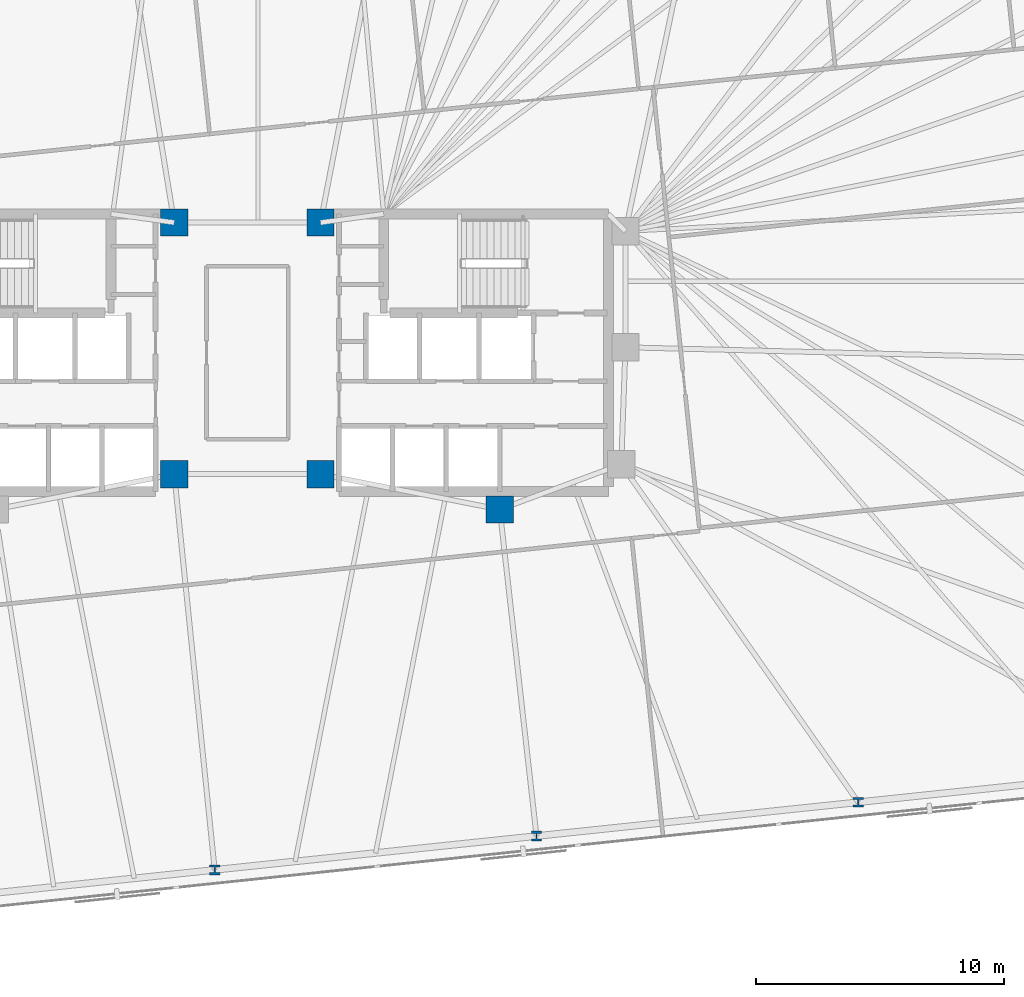
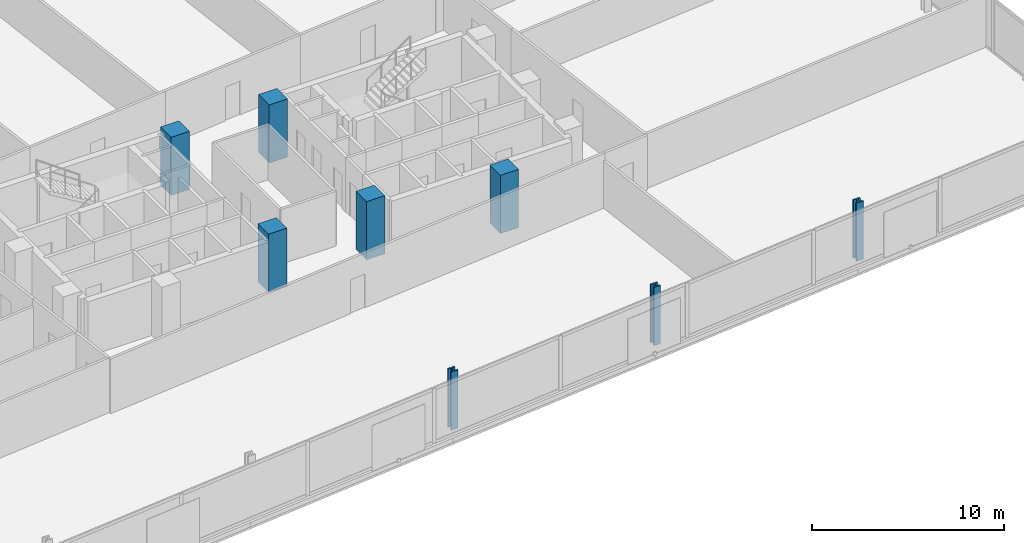
# One storey, part 3 of 18: 8 columns.
"""IFC4 building model written with IfcOpenShell, lengths in metres."""

import ifcopenshell
import ifcopenshell.guid

model = None  # the IFC model being written
_history = None  # IfcOwnerHistory: only IFC2X3 demands one
_inside = {}  # id of a spatial element -> (the spatial element, [elements in it])
_under = {}  # id of a project, library or spatial element -> (it, [spatial elements below it])
_declared = {}  # id of a project -> (the project, [libraries it declares])
_typed = {}  # id of a type object -> (the type object, [elements of that type])
_made_of = {}  # id of a material, layer set ... -> (it, [elements and type objects made of it])


def new_model(schema):
    """Start an empty IFC model of exactly this schema.

    Asked for "IFC4X3", IfcOpenShell would pick the latest addendum, in which some entities
    have other attributes; the version numbers below select the first issue.
    IFC2X3 requires an IfcOwnerHistory on every rooted entity: one is made here for all.
    """
    global model, _history
    if schema == "IFC4X3":
        model = ifcopenshell.file(schema_version=(4, 3, 0, 0))
    else:
        model = ifcopenshell.file(schema=schema)
    _inside.clear()
    _under.clear()
    _declared.clear()
    _typed.clear()
    _made_of.clear()
    _history = None
    if model.schema == "IFC2X3":
        org = make("IfcOrganization", Name="unknown")
        user = make(
            "IfcPersonAndOrganization",
            ThePerson=make("IfcPerson", FamilyName="unknown"),
            TheOrganization=org,
        )
        app = make(
            "IfcApplication",
            ApplicationDeveloper=org,
            Version="unknown",
            ApplicationFullName="unknown",
            ApplicationIdentifier="unknown",
        )
        _history = make(
            "IfcOwnerHistory",
            OwningUser=user,
            OwningApplication=app,
            ChangeAction="ADDED",
            CreationDate=0,
        )
    return model


def make(cls, **values):
    """One entity of the class cls with the attributes given. An attribute that is None is left unset."""
    return model.create_entity(
        cls, **{name: value for name, value in values.items() if value is not None}
    )


def rooted(cls, **values):
    """An entity with a GlobalId (a new one), such as an element, a storey or a relation."""
    return make(cls, GlobalId=ifcopenshell.guid.new(), OwnerHistory=_history, **values)


def si_unit(unit_type, name, prefix=None):
    """IfcSIUnit, for example si_unit("LENGTHUNIT", "METRE", prefix="MILLI")."""
    return make("IfcSIUnit", UnitType=unit_type, Prefix=prefix, Name=name)


def assignment(units):
    """IfcUnitAssignment: the units of a project."""
    return None if units is None else make("IfcUnitAssignment", Units=units)


def point(xyz):
    """IfcCartesianPoint."""
    return None if xyz is None else make("IfcCartesianPoint", Coordinates=xyz)


def direction(xyz):
    """IfcDirection."""
    return None if xyz is None else make("IfcDirection", DirectionRatios=xyz)


def frame(location, z_axis=None, x_axis=None):
    """IfcAxis2Placement3D, a coordinate frame: its origin and axes. An axis left out is left unset."""
    return make(
        "IfcAxis2Placement3D",
        Location=point(location),
        Axis=direction(z_axis),
        RefDirection=direction(x_axis),
    )


def frame_2d(location, x_axis=None):
    """IfcAxis2Placement2D, a coordinate frame in the plane: its origin and x axis."""
    return make(
        "IfcAxis2Placement2D", Location=point(location), RefDirection=direction(x_axis)
    )


def origin():
    """The frame at (0, 0, 0) with its axes left unset."""
    return frame((0.0, 0.0, 0.0))


def origin_2d():
    """The frame at (0, 0) in the plane with its x axis left unset."""
    return frame_2d((0.0, 0.0))


def place(relative_to, where):
    """IfcLocalPlacement: puts the frame where relative to a parent placement (None: the world)."""
    return make(
        "IfcLocalPlacement", PlacementRelTo=relative_to, RelativePlacement=where
    )


def context(
    kind, dimensions, precision=None, world=None, true_north=None, identifier=None
):
    """IfcGeometricRepresentationContext, for example the 3D "Model" context."""
    return make(
        "IfcGeometricRepresentationContext",
        ContextIdentifier=identifier,
        ContextType=kind,
        CoordinateSpaceDimension=dimensions,
        Precision=precision,
        WorldCoordinateSystem=world,
        TrueNorth=true_north,
    )


def subcontext(parent, identifier, kind, view, scale=None):
    """IfcGeometricRepresentationSubContext, for example "Body" below "Model"."""
    return make(
        "IfcGeometricRepresentationSubContext",
        ContextIdentifier=identifier,
        ContextType=kind,
        ParentContext=parent,
        TargetScale=scale,
        TargetView=view,
    )


def project(units=None, contexts=None):
    """IfcProject with its units and contexts."""
    return rooted(
        "IfcProject",
        Name="project",
        RepresentationContexts=contexts,
        UnitsInContext=assignment(units),
    )


def spatial(cls, under=None, at=None, **own):
    """A site, building, storey or space (cls), placed at a placement, below another one or the project."""
    s = rooted(cls, ObjectPlacement=at, **own)
    if under is not None:
        _under.setdefault(under.id(), (under, []))[1].append(s)
    return s


def profile(cls, at=None, kind="AREA", **sizes):
    """A parametric profile (cls). Its sizes go by their IFC names, for example OverallWidth=200.0."""
    return make(cls, ProfileType=kind, Position=at, **sizes)


def rectangle(**sizes):
    """IfcRectangleProfileDef."""
    return profile("IfcRectangleProfileDef", **sizes)


def i_section(**sizes):
    """IfcIShapeProfileDef."""
    return profile("IfcIShapeProfileDef", **sizes)


def extrude(swept, where, along, depth):
    """IfcExtrudedAreaSolid: the profile swept, set in the frame where, extruded along a direction by depth."""
    return make(
        "IfcExtrudedAreaSolid",
        SweptArea=swept,
        Position=where,
        ExtrudedDirection=direction(along),
        Depth=depth,
    )


def shape(context_of_items, identifier, shape_type, items):
    """IfcShapeRepresentation: the items that make up one representation, for example the "Body"."""
    return make(
        "IfcShapeRepresentation",
        ContextOfItems=context_of_items,
        RepresentationIdentifier=identifier,
        RepresentationType=shape_type,
        Items=items,
    )


def material(Name=None, Category=None):
    """IfcMaterial."""
    return make("IfcMaterial", Name=Name, Category=Category)


def material_profile(
    of_material, cross_section, Name=None, Category=None, Priority=None
):
    """IfcMaterialProfile: a cross section and its material."""
    return make(
        "IfcMaterialProfile",
        Name=Name,
        Material=of_material,
        Profile=cross_section,
        Priority=Priority,
        Category=Category,
    )


def profile_set(profiles, Name=None, composite=None):
    """IfcMaterialProfileSet."""
    return make(
        "IfcMaterialProfileSet",
        Name=Name,
        MaterialProfiles=profiles,
        CompositeProfile=composite,
    )


def made_of(thing, what):
    """Note that an element or type object is made of a material, layer set ...; save() writes the relation."""
    if what is not None:
        _made_of.setdefault(what.id(), (what, []))[1].append(thing)
    return thing


def type_object(cls, material=None, **own):
    """A type object (cls), such as IfcWallType, which elements share."""
    return made_of(rooted(cls, **own), material)


def element(
    cls,
    number,
    at=None,
    inside=None,
    cuts=None,
    type_object=None,
    material=None,
    context=None,
    identifier="Body",
    shape_type=None,
    held_by="IfcProductDefinitionShape",
    body=None,
    shapes=None,
    **own,
):
    """One element of the class cls, such as IfcWall. Its Tag is "e" and its number.

    at: its placement. inside: the storey or other place that contains it. cuts: it is an
    opening in that element (IfcRelVoidsElement). A single representation is given by context,
    identifier, shape_type and body (its items); several are given by shapes. held_by: the class
    of the entity that holds the representations. save() writes the other relations.
    """
    e = rooted(cls, Tag="e%d" % number, ObjectPlacement=at, **own)
    if body is not None:
        shapes = [shape(context, identifier, shape_type, body)]
    if shapes is not None:
        e.Representation = make(held_by, Representations=shapes)
    if inside is not None:
        _inside.setdefault(inside.id(), (inside, []))[1].append(e)
    if cuts is not None:
        rooted(
            "IfcRelVoidsElement", RelatingBuildingElement=cuts, RelatedOpeningElement=e
        )
    if type_object is not None:
        _typed.setdefault(type_object.id(), (type_object, []))[1].append(e)
    return made_of(e, material)


def aggregate(whole, parts):
    """IfcRelAggregates: a whole, such as a stair, and the parts it consists of."""
    return rooted("IfcRelAggregates", RelatingObject=whole, RelatedObjects=parts)


def save(model, path):
    """Write the relations noted so far, then the file.

    IfcRelAggregates (storeys below a building ...), IfcRelContainedInSpatialStructure (elements
    in a storey), IfcRelDefinesByType, IfcRelAssociatesMaterial and IfcRelDeclares: one each for
    every whole, place, type object, material and project.
    """
    for whole, parts in _under.values():
        aggregate(whole, parts)
    for where, things in _inside.values():
        rooted(
            "IfcRelContainedInSpatialStructure",
            RelatedElements=things,
            RelatingStructure=where,
        )
    for kind, things in _typed.values():
        rooted("IfcRelDefinesByType", RelatedObjects=things, RelatingType=kind)
    for what, things in _made_of.values():
        rooted("IfcRelAssociatesMaterial", RelatedObjects=things, RelatingMaterial=what)
    for by, libraries in _declared.values():
        rooted("IfcRelDeclares", RelatingContext=by, RelatedDefinitions=libraries)
    model.write(path)


model = new_model("IFC4")

# Units and contexts
model_context = context("Model", 3, precision=1e-05, world=origin(), true_north=direction((0.0, 1.0)))
body_context = subcontext(model_context, "Body", "Model", "MODEL_VIEW")
ifc_project = project(units=[si_unit("LENGTHUNIT", "METRE"), si_unit("AREAUNIT", "SQUARE_METRE"), si_unit("VOLUMEUNIT", "CUBIC_METRE"), si_unit("PLANEANGLEUNIT", "RADIAN"), si_unit("MASSUNIT", "GRAM", prefix="KILO")], contexts=[model_context])

# Site, building, storey
site_placement = place(None, origin())
site = spatial("IfcSite", under=ifc_project, at=site_placement, CompositionType="ELEMENT")
building_placement = place(site_placement, origin())
building = spatial("IfcBuilding", under=site, at=building_placement, Name="Menara Jurai Vektor", CompositionType="ELEMENT")
storey_placement = place(building_placement, frame((0.0, 0.0, 128.10009765625)))
storey = spatial("IfcBuildingStorey", under=building, at=storey_placement, Name="L32", CompositionType="ELEMENT", Elevation=128.10009765625)

# Columns
ifc_material_1 = material(Name="Concrete C50/60", Category="concrete")
ifc_material_profile_1 = material_profile(ifc_material_1, rectangle(XDim=1.10009765625, YDim=1.10009765625, at=origin_2d()), Name="RC 1100x1100")
ifc_profile_set_1 = profile_set([ifc_material_profile_1], Name="Concrete C50/60")
column_type_1 = type_object("IfcColumnType", Name="STR-COL-RC1100", PredefinedType="COLUMN", material=ifc_profile_set_1)
for number, where, z_axis, x_axis, name in (
    (1, (-2.949951171875, -4.89990234375, 0.0), (0.0, 0.0, 1.0), (1.0, 0.0, 0.0), "Core Spine Column CW-SE L32"),
    (2, (-2.949951171875, 5.25, 0.0), (0.0, 0.0, 1.0), (1.0, 0.0, 0.0), "Core Spine Column CW-NE L32"),
    (3, (10.179931640625, -6.320068359375, 0.0), (0.0, 0.0, 1.0), (1.0, 0.0, 0.0), "Core Spine Column CE-SM L32"),
    (4, (2.949951171875, -4.89990234375, 0.0), (0.0, 0.0, 1.0), (1.0, 0.0, 0.0), "Core Spine Column CE-SW L32"),
    (5, (2.949951171875, 5.25, 0.0), (0.0, 0.0, 1.0), (1.0, 0.0, 0.0), "Core Spine Column CE-NW L32"),
):
    element("IfcColumn", number, at=place(storey_placement, frame(where, z_axis=z_axis, x_axis=x_axis)), inside=storey, type_object=column_type_1, Name=name, PredefinedType="COLUMN", context=body_context, shape_type="SweptSolid", body=[
        extrude(rectangle(XDim=1.10009765625, YDim=1.10009765625, at=origin_2d()), origin(), (0.0, 0.0, 1.0), 3.699951171875),
    ])
ifc_material_2 = material(Name="Steel S460", Category="steel")
ifc_material_profile_2 = material_profile(ifc_material_2, i_section(OverallWidth=0.4130859375, OverallDepth=0.39794921875, WebThickness=0.055908203125, FlangeThickness=0.089111328125, FilletRadius=0.014892578125, at=origin_2d()), Name="HD 400x744")
ifc_profile_set_2 = profile_set([ifc_material_profile_2], Name="Steel S460")
column_type_2 = type_object("IfcColumnType", Name="STR-EXO-BLK2", PredefinedType="COLUMN", material=ifc_profile_set_2)
for number, where, z_axis, x_axis, name in (
    (6, (-1.317138671875, -20.857666015625, 0.0), (0.0, 0.0, 1.0), (1.0, 0.0, 0.0), "Exoskeleton Column BLK2-S3 L32"),
    (7, (11.66259765625, -19.49365234375, 0.0), (0.0, 0.0, 1.0), (1.0, 0.0, 0.0), "Exoskeleton Column BLK2-S4 L32"),
    (8, (24.642333984375, -18.12939453125, 0.0), (0.0, 0.0, 1.0), (1.0, 0.0, 0.0), "Exoskeleton Column BLK2-S5 L32"),
):
    element("IfcColumn", number, at=place(storey_placement, frame(where, z_axis=z_axis, x_axis=x_axis)), inside=storey, type_object=column_type_2, Name=name, PredefinedType="COLUMN", context=body_context, shape_type="SweptSolid", body=[
        extrude(i_section(OverallWidth=0.4130859375, OverallDepth=0.39794921875, WebThickness=0.055908203125, FlangeThickness=0.089111328125, FilletRadius=0.014892578125, at=origin_2d()), origin(), (0.0, 0.0, 1.0), 3.699951171875),
    ])

save(model, "model.ifc")
